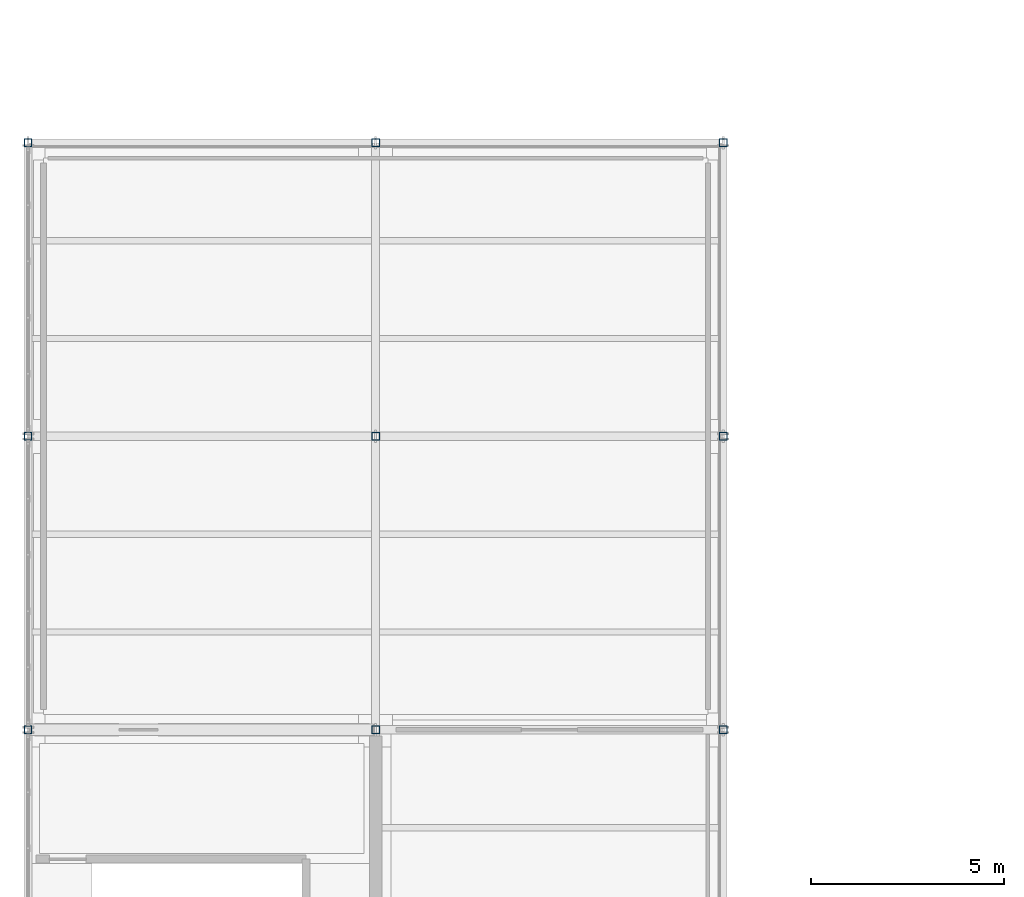
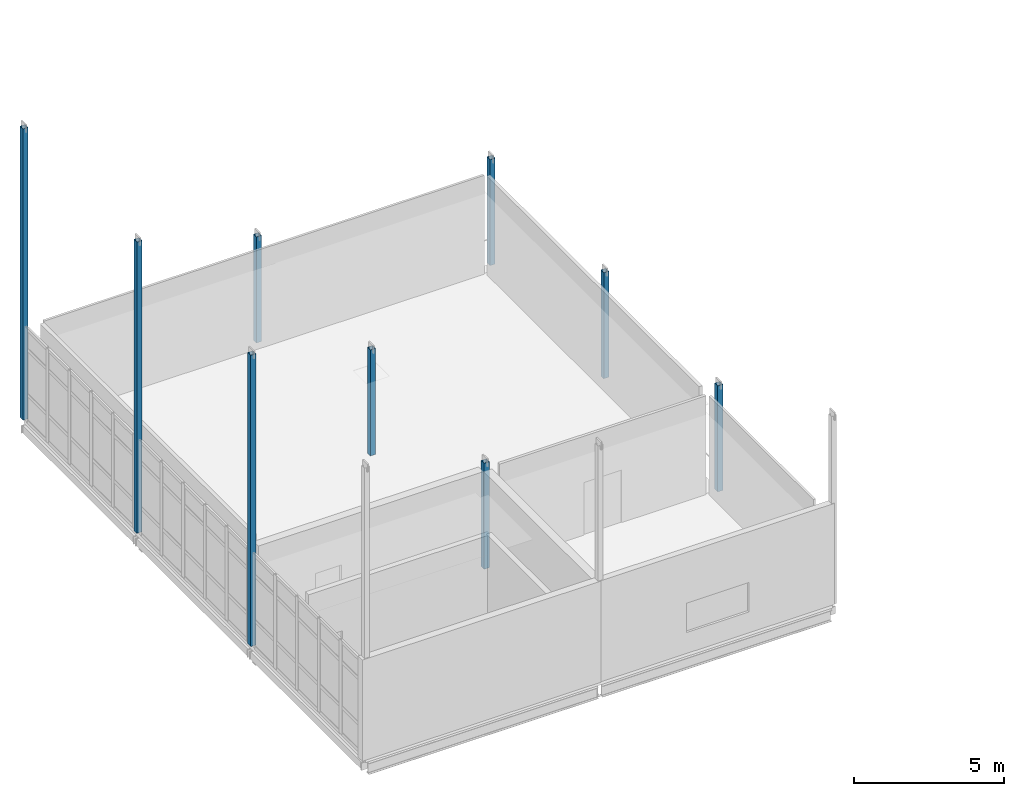
# One storey, part 3 of 96: 9 columns.
"""IFC4 building model written with IfcOpenShell, lengths in metres."""

import ifcopenshell
import ifcopenshell.guid

model = None  # the IFC model being written
_history = None  # IfcOwnerHistory: only IFC2X3 demands one
_inside = {}  # id of a spatial element -> (the spatial element, [elements in it])
_under = {}  # id of a project, library or spatial element -> (it, [spatial elements below it])
_declared = {}  # id of a project -> (the project, [libraries it declares])
_typed = {}  # id of a type object -> (the type object, [elements of that type])
_made_of = {}  # id of a material, layer set ... -> (it, [elements and type objects made of it])


def new_model(schema):
    """Start an empty IFC model of exactly this schema.

    Asked for "IFC4X3", IfcOpenShell would pick the latest addendum, in which some entities
    have other attributes; the version numbers below select the first issue.
    IFC2X3 requires an IfcOwnerHistory on every rooted entity: one is made here for all.
    """
    global model, _history
    if schema == "IFC4X3":
        model = ifcopenshell.file(schema_version=(4, 3, 0, 0))
    else:
        model = ifcopenshell.file(schema=schema)
    _inside.clear()
    _under.clear()
    _declared.clear()
    _typed.clear()
    _made_of.clear()
    _history = None
    if model.schema == "IFC2X3":
        org = make("IfcOrganization", Name="unknown")
        user = make(
            "IfcPersonAndOrganization",
            ThePerson=make("IfcPerson", FamilyName="unknown"),
            TheOrganization=org,
        )
        app = make(
            "IfcApplication",
            ApplicationDeveloper=org,
            Version="unknown",
            ApplicationFullName="unknown",
            ApplicationIdentifier="unknown",
        )
        _history = make(
            "IfcOwnerHistory",
            OwningUser=user,
            OwningApplication=app,
            ChangeAction="ADDED",
            CreationDate=0,
        )
    return model


def make(cls, **values):
    """One entity of the class cls with the attributes given. An attribute that is None is left unset."""
    return model.create_entity(
        cls, **{name: value for name, value in values.items() if value is not None}
    )


def rooted(cls, **values):
    """An entity with a GlobalId (a new one), such as an element, a storey or a relation."""
    return make(cls, GlobalId=ifcopenshell.guid.new(), OwnerHistory=_history, **values)


def si_unit(unit_type, name, prefix=None):
    """IfcSIUnit, for example si_unit("LENGTHUNIT", "METRE", prefix="MILLI")."""
    return make("IfcSIUnit", UnitType=unit_type, Prefix=prefix, Name=name)


def assignment(units):
    """IfcUnitAssignment: the units of a project."""
    return None if units is None else make("IfcUnitAssignment", Units=units)


def point(xyz):
    """IfcCartesianPoint."""
    return None if xyz is None else make("IfcCartesianPoint", Coordinates=xyz)


def direction(xyz):
    """IfcDirection."""
    return None if xyz is None else make("IfcDirection", DirectionRatios=xyz)


def frame(location, z_axis=None, x_axis=None):
    """IfcAxis2Placement3D, a coordinate frame: its origin and axes. An axis left out is left unset."""
    return make(
        "IfcAxis2Placement3D",
        Location=point(location),
        Axis=direction(z_axis),
        RefDirection=direction(x_axis),
    )


def frame_2d(location, x_axis=None):
    """IfcAxis2Placement2D, a coordinate frame in the plane: its origin and x axis."""
    return make(
        "IfcAxis2Placement2D", Location=point(location), RefDirection=direction(x_axis)
    )


def origin():
    """The frame at (0, 0, 0) with its axes left unset."""
    return frame((0.0, 0.0, 0.0))


def origin_2d():
    """The frame at (0, 0) in the plane with its x axis left unset."""
    return frame_2d((0.0, 0.0))


def place(relative_to, where):
    """IfcLocalPlacement: puts the frame where relative to a parent placement (None: the world)."""
    return make(
        "IfcLocalPlacement", PlacementRelTo=relative_to, RelativePlacement=where
    )


def context(
    kind, dimensions, precision=None, world=None, true_north=None, identifier=None
):
    """IfcGeometricRepresentationContext, for example the 3D "Model" context."""
    return make(
        "IfcGeometricRepresentationContext",
        ContextIdentifier=identifier,
        ContextType=kind,
        CoordinateSpaceDimension=dimensions,
        Precision=precision,
        WorldCoordinateSystem=world,
        TrueNorth=true_north,
    )


def subcontext(parent, identifier, kind, view, scale=None):
    """IfcGeometricRepresentationSubContext, for example "Body" below "Model"."""
    return make(
        "IfcGeometricRepresentationSubContext",
        ContextIdentifier=identifier,
        ContextType=kind,
        ParentContext=parent,
        TargetScale=scale,
        TargetView=view,
    )


def project(units=None, contexts=None):
    """IfcProject with its units and contexts."""
    return rooted(
        "IfcProject",
        Name="project",
        RepresentationContexts=contexts,
        UnitsInContext=assignment(units),
    )


def spatial(cls, under=None, at=None, **own):
    """A site, building, storey or space (cls), placed at a placement, below another one or the project."""
    s = rooted(cls, ObjectPlacement=at, **own)
    if under is not None:
        _under.setdefault(under.id(), (under, []))[1].append(s)
    return s


def profile(cls, at=None, kind="AREA", **sizes):
    """A parametric profile (cls). Its sizes go by their IFC names, for example OverallWidth=200.0."""
    return make(cls, ProfileType=kind, Position=at, **sizes)


def hollow_rectangle(**sizes):
    """IfcRectangleHollowProfileDef."""
    return profile("IfcRectangleHollowProfileDef", **sizes)


def extrude(swept, where, along, depth):
    """IfcExtrudedAreaSolid: the profile swept, set in the frame where, extruded along a direction by depth."""
    return make(
        "IfcExtrudedAreaSolid",
        SweptArea=swept,
        Position=where,
        ExtrudedDirection=direction(along),
        Depth=depth,
    )


def shape(context_of_items, identifier, shape_type, items):
    """IfcShapeRepresentation: the items that make up one representation, for example the "Body"."""
    return make(
        "IfcShapeRepresentation",
        ContextOfItems=context_of_items,
        RepresentationIdentifier=identifier,
        RepresentationType=shape_type,
        Items=items,
    )


def material(Name=None, Category=None):
    """IfcMaterial."""
    return make("IfcMaterial", Name=Name, Category=Category)


def material_profile(
    of_material, cross_section, Name=None, Category=None, Priority=None
):
    """IfcMaterialProfile: a cross section and its material."""
    return make(
        "IfcMaterialProfile",
        Name=Name,
        Material=of_material,
        Profile=cross_section,
        Priority=Priority,
        Category=Category,
    )


def profile_set(profiles, Name=None, composite=None):
    """IfcMaterialProfileSet."""
    return make(
        "IfcMaterialProfileSet",
        Name=Name,
        MaterialProfiles=profiles,
        CompositeProfile=composite,
    )


def made_of(thing, what):
    """Note that an element or type object is made of a material, layer set ...; save() writes the relation."""
    if what is not None:
        _made_of.setdefault(what.id(), (what, []))[1].append(thing)
    return thing


def type_object(cls, material=None, **own):
    """A type object (cls), such as IfcWallType, which elements share."""
    return made_of(rooted(cls, **own), material)


def element(
    cls,
    number,
    at=None,
    inside=None,
    cuts=None,
    type_object=None,
    material=None,
    context=None,
    identifier="Body",
    shape_type=None,
    held_by="IfcProductDefinitionShape",
    body=None,
    shapes=None,
    **own,
):
    """One element of the class cls, such as IfcWall. Its Tag is "e" and its number.

    at: its placement. inside: the storey or other place that contains it. cuts: it is an
    opening in that element (IfcRelVoidsElement). A single representation is given by context,
    identifier, shape_type and body (its items); several are given by shapes. held_by: the class
    of the entity that holds the representations. save() writes the other relations.
    """
    e = rooted(cls, Tag="e%d" % number, ObjectPlacement=at, **own)
    if body is not None:
        shapes = [shape(context, identifier, shape_type, body)]
    if shapes is not None:
        e.Representation = make(held_by, Representations=shapes)
    if inside is not None:
        _inside.setdefault(inside.id(), (inside, []))[1].append(e)
    if cuts is not None:
        rooted(
            "IfcRelVoidsElement", RelatingBuildingElement=cuts, RelatedOpeningElement=e
        )
    if type_object is not None:
        _typed.setdefault(type_object.id(), (type_object, []))[1].append(e)
    return made_of(e, material)


def aggregate(whole, parts):
    """IfcRelAggregates: a whole, such as a stair, and the parts it consists of."""
    return rooted("IfcRelAggregates", RelatingObject=whole, RelatedObjects=parts)


def save(model, path):
    """Write the relations noted so far, then the file.

    IfcRelAggregates (storeys below a building ...), IfcRelContainedInSpatialStructure (elements
    in a storey), IfcRelDefinesByType, IfcRelAssociatesMaterial and IfcRelDeclares: one each for
    every whole, place, type object, material and project.
    """
    for whole, parts in _under.values():
        aggregate(whole, parts)
    for where, things in _inside.values():
        rooted(
            "IfcRelContainedInSpatialStructure",
            RelatedElements=things,
            RelatingStructure=where,
        )
    for kind, things in _typed.values():
        rooted("IfcRelDefinesByType", RelatedObjects=things, RelatingType=kind)
    for what, things in _made_of.values():
        rooted("IfcRelAssociatesMaterial", RelatedObjects=things, RelatingMaterial=what)
    for by, libraries in _declared.values():
        rooted("IfcRelDeclares", RelatingContext=by, RelatedDefinitions=libraries)
    model.write(path)


model = new_model("IFC4")

# Units and contexts
model_context = context("Model", 3, precision=1e-05, world=origin(), true_north=direction((0.0, 1.0)))
body_context = subcontext(model_context, "Body", "Model", "MODEL_VIEW")
ifc_project = project(units=[si_unit("LENGTHUNIT", "METRE"), si_unit("AREAUNIT", "SQUARE_METRE"), si_unit("VOLUMEUNIT", "CUBIC_METRE"), si_unit("PLANEANGLEUNIT", "RADIAN"), si_unit("MASSUNIT", "GRAM", prefix="KILO")], contexts=[model_context])

# Site, building, storey
site_placement = place(None, origin())
site = spatial("IfcSite", under=ifc_project, at=site_placement, CompositionType="ELEMENT")
building_placement = place(site_placement, origin())
building = spatial("IfcBuilding", under=site, at=building_placement, Name="Caisbarro Railhouse Central Library", CompositionType="ELEMENT")
storey_placement = place(building_placement, frame((0.0, 0.0, 13.679931640625)))
storey = spatial("IfcBuildingStorey", under=building, at=storey_placement, Name="L03", CompositionType="ELEMENT", Elevation=13.679931640625)

# Columns
ifc_material = material(Name="Steel ASTM A572 Grade 50", Category="steel")
ifc_material_profile = material_profile(ifc_material, hollow_rectangle(XDim=0.199951171875, YDim=0.199951171875, WallThickness=0.012451171875, at=origin_2d()), Name="HSS200X200X12.5")
ifc_profile_set = profile_set([ifc_material_profile], Name="Steel ASTM A572 Grade 50")
column_type = type_object("IfcColumnType", Name="COL-C10", PredefinedType="COLUMN", material=ifc_profile_set)
for number, where, z_axis, x_axis, name in (
    (1, (0.0, 38.0, 0.0), (0.0, 0.0, 1.0), (1.0, 0.0, 0.0), "C10 column L03 (0.0,38.0)"),
    (2, (0.0, 45.60009765625, 0.0), (0.0, 0.0, 1.0), (1.0, 0.0, 0.0), "C10 column L03 (0.0,45.6)"),
    (3, (0.0, 53.199951171875, 0.0), (0.0, 0.0, 1.0), (1.0, 0.0, 0.0), "C10 column L03 (0.0,53.2)"),
):
    element("IfcColumn", number, at=place(storey_placement, frame(where, z_axis=z_axis, x_axis=x_axis)), inside=storey, type_object=column_type, Name=name, PredefinedType="COLUMN", context=body_context, shape_type="SweptSolid", body=[
        extrude(hollow_rectangle(XDim=0.199951171875, YDim=0.199951171875, WallThickness=0.012451171875, at=origin_2d()), origin(), (0.0, 0.0, 1.0), 11.8701171875),
    ])
for number, where, z_axis, x_axis, name in (
    (4, (9.0, 38.0, 0.0), (0.0, 0.0, 1.0), (1.0, 0.0, 0.0), "C10 column L03 (9.0,38.0)"),
    (5, (9.0, 45.60009765625, 0.0), (0.0, 0.0, 1.0), (1.0, 0.0, 0.0), "C10 column L03 (9.0,45.6)"),
    (6, (9.0, 53.199951171875, 0.0), (0.0, 0.0, 1.0), (1.0, 0.0, 0.0), "C10 column L03 (9.0,53.2)"),
    (7, (18.0, 38.0, 0.0), (0.0, 0.0, 1.0), (1.0, 0.0, 0.0), "C10 column L03 (18.0,38.0)"),
    (8, (18.0, 45.60009765625, 0.0), (0.0, 0.0, 1.0), (1.0, 0.0, 0.0), "C10 column L03 (18.0,45.6)"),
    (9, (18.0, 53.199951171875, 0.0), (0.0, 0.0, 1.0), (1.0, 0.0, 0.0), "C10 column L03 (18.0,53.2)"),
):
    element("IfcColumn", number, at=place(storey_placement, frame(where, z_axis=z_axis, x_axis=x_axis)), inside=storey, type_object=column_type, Name=name, PredefinedType="COLUMN", context=body_context, shape_type="SweptSolid", body=[
        extrude(hollow_rectangle(XDim=0.199951171875, YDim=0.199951171875, WallThickness=0.012451171875, at=origin_2d()), origin(), (0.0, 0.0, 1.0), 4.320068359375),
    ])

save(model, "model.ifc")
